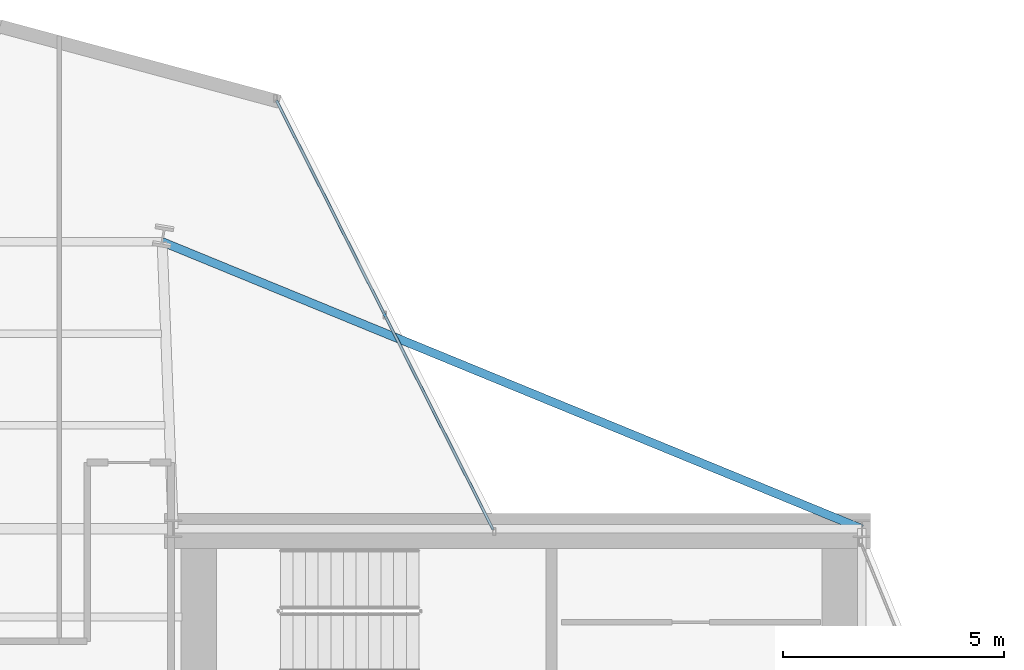
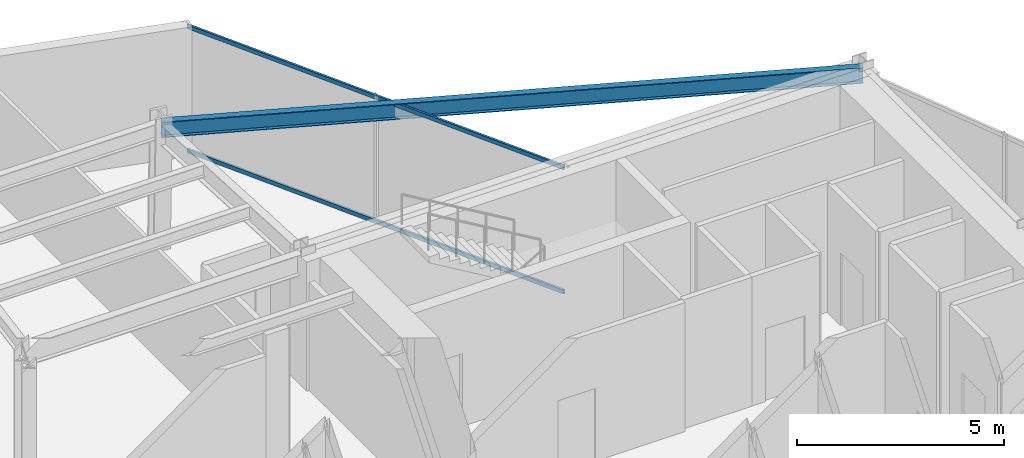
# One storey, part 16 of 25: 2 members, 1 beam, 1 element without a shape of its own.
"""IFC4 building model written with IfcOpenShell, lengths in metres."""

from ifc_helpers import new_model, si_unit, direction, frame, origin, origin_2d, place, context, subcontext, project, spatial, hollow_rectangle, i_section, extrude, material, layer, layer_set, material_profile, profile_set, type_object, element, aggregate, save


model = new_model("IFC4")

# Units and contexts
model_context = context("Model", 3, precision=1e-05, world=origin(), true_north=direction((0.0, 1.0)))
body_context = subcontext(model_context, "Body", "Model", "MODEL_VIEW")
ifc_project = project(units=[si_unit("LENGTHUNIT", "METRE"), si_unit("AREAUNIT", "SQUARE_METRE"), si_unit("VOLUMEUNIT", "CUBIC_METRE"), si_unit("PLANEANGLEUNIT", "RADIAN"), si_unit("MASSUNIT", "GRAM", prefix="KILO")], contexts=[model_context])

# Site, building, storey
site_placement = place(None, origin())
site = spatial("IfcSite", under=ifc_project, at=site_placement, CompositionType="ELEMENT")
building_placement = place(site_placement, origin())
building = spatial("IfcBuilding", under=site, at=building_placement, Name="Veymaron Broadcast Tower", CompositionType="ELEMENT")
storey_placement = place(building_placement, frame((0.0, 0.0, 137.10009765625)))
storey = spatial("IfcBuildingStorey", under=building, at=storey_placement, Name="L31", CompositionType="ELEMENT", Elevation=137.10009765625)

# Beam
ifc_material_1 = material(Name="Structural steel ASTM A992 Gr 50", Category="steel")
ifc_material_profile_1 = material_profile(ifc_material_1, i_section(OverallWidth=0.19091796875, OverallDepth=0.4599609375, WebThickness=0.010009765625, FlangeThickness=0.01611328125, at=origin_2d()), Name="W460X82")
ifc_profile_set_1 = profile_set([ifc_material_profile_1], Name="Structural steel ASTM A992 Gr 50")
beam_type = type_object("IfcBeamType", Name="BM-SP1", PredefinedType="SPANDREL", material=ifc_profile_set_1)
beam_placement = place(storey_placement, frame((54.60009765625, 32.0, 3.579833984375), z_axis=(-0.925221989394, 0.379426238342, 0.0), x_axis=(-0.379426238342, -0.925221989394, 0.0)))
element("IfcBeam", 1, at=beam_placement, inside=storey, type_object=beam_type, Name="L31 primary structural floor girder", PredefinedType="SPANDREL", context=body_context, shape_type="SweptSolid", body=[
    extrude(i_section(OverallWidth=0.19091796875, OverallDepth=0.4599609375, WebThickness=0.010009765625, FlangeThickness=0.01611328125, at=origin_2d()), origin(), (0.0, 0.0, 1.0), 17.131103515625),
])

# Curtain wall, members
ifc_material_2 = material(Name="Anodised aluminium AA 6063-T6 and laminated low-E dark glass", Category="aluminium")
ifc_layer = layer(ifc_material_2, 0.179931640625)
ifc_layer_set = layer_set([ifc_layer], Name="Anodised aluminium AA 6063-T6 and laminated low-E dark glass")
curtain_wall_type = type_object("IfcCurtainWallType", Name="CW-SYS-03", PredefinedType="NOTDEFINED", material=ifc_layer_set)
curtain_wall_placement = place(storey_placement, origin())
curtain_wall = element("IfcCurtainWall", 2, at=curtain_wall_placement, inside=storey, type_object=curtain_wall_type, Name="L31 dark-glass curtain wall CW-L31-E5-1", PredefinedType="NOTDEFINED")
ifc_material_3 = material(Name="Anodised aluminium AA 6063-T6", Category="aluminium")
ifc_material_profile_2 = material_profile(ifc_material_3, hollow_rectangle(XDim=0.06005859375, YDim=0.1201171875, WallThickness=0.00390625, at=origin_2d()), Name="AL120X60X4")
ifc_profile_set_2 = profile_set([ifc_material_profile_2], Name="Anodised aluminium AA 6063-T6")
member_type = type_object("IfcMemberType", Name="CW-TRN-02", PredefinedType="USERDEFINED", material=ifc_profile_set_2)
member_1_placement = place(storey_placement, frame((46.248291015625, 31.9814453125, 0.06982421875), z_axis=(-0.45091301008, 0.892567900689, 0.0), x_axis=(-0.892567900689, -0.45091301008, 0.0)))
member_1 = element("IfcMember", 3, at=member_1_placement, type_object=member_type, Name="CW-L31-E5-1 transom B", ObjectType="TRANSOM", PredefinedType="USERDEFINED", context=body_context, shape_type="SweptSolid", body=[
    extrude(hollow_rectangle(XDim=0.06005859375, YDim=0.1201171875, WallThickness=0.00390625, at=origin_2d()), origin(), (0.0, 0.0, 1.0), 10.890869140625),
])
member_2_placement = place(storey_placement, frame((46.248291015625, 31.9814453125, 3.739990234375), z_axis=(-0.45091301008, 0.892567900689, 0.0), x_axis=(-0.892567900689, -0.45091301008, 0.0)))
member_2 = element("IfcMember", 4, at=member_2_placement, type_object=member_type, Name="CW-L31-E5-1 transom T", ObjectType="TRANSOM", PredefinedType="USERDEFINED", context=body_context, shape_type="SweptSolid", body=[
    extrude(hollow_rectangle(XDim=0.06005859375, YDim=0.1201171875, WallThickness=0.00390625, at=origin_2d()), origin(), (0.0, 0.0, 1.0), 10.890869140625),
])
aggregate(curtain_wall, [member_1, member_2])

save(model, "model.ifc")
